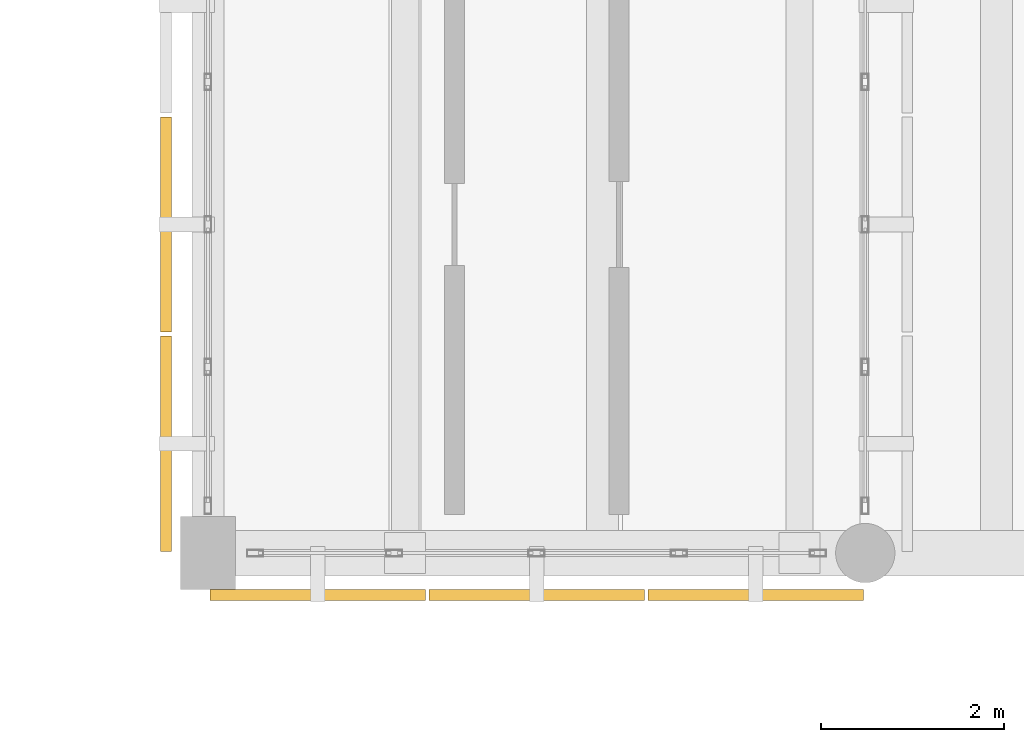
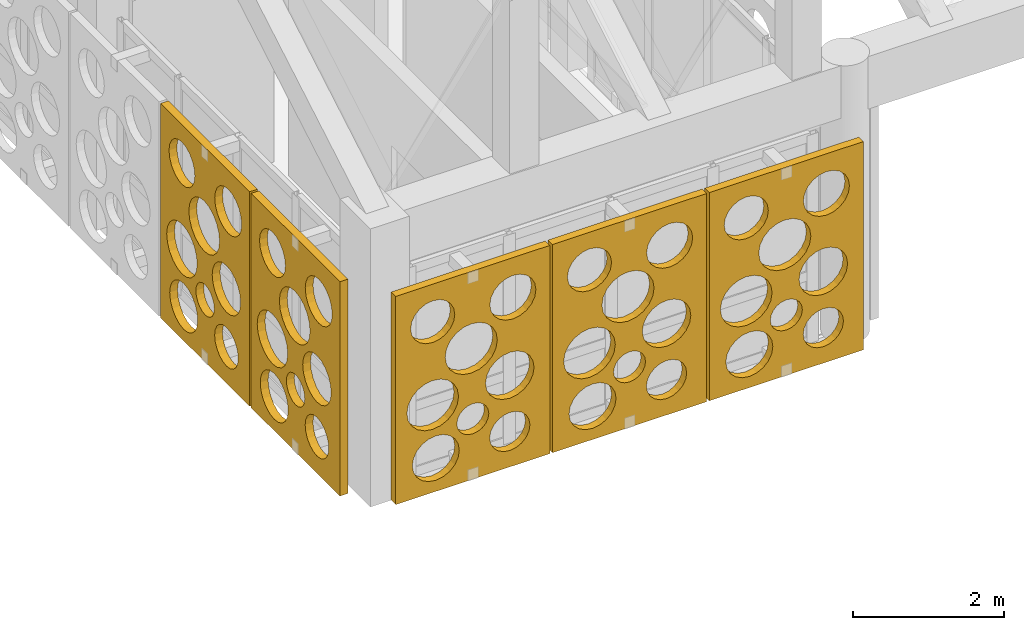
# One storey, part 153 of 171: 5 coverings.
"""IFC4 building model written with IfcOpenShell, lengths in metres."""

from ifc_helpers import new_model, si_unit, direction, frame, origin, place, context, subcontext, project, spatial, polyline, outline, extrude, material, layer, layer_set, type_object, element, save


model = new_model("IFC4")

# Units and contexts
model_context = context("Model", 3, precision=1e-05, world=origin(), true_north=direction((0.0, 1.0)))
body_context = subcontext(model_context, "Body", "Model", "MODEL_VIEW")
ifc_project = project(units=[si_unit("LENGTHUNIT", "METRE"), si_unit("AREAUNIT", "SQUARE_METRE"), si_unit("VOLUMEUNIT", "CUBIC_METRE"), si_unit("PLANEANGLEUNIT", "RADIAN"), si_unit("MASSUNIT", "GRAM", prefix="KILO")], contexts=[model_context])

# Site, building, storey
site_placement = place(None, origin())
site = spatial("IfcSite", under=ifc_project, at=site_placement, CompositionType="ELEMENT")
building_placement = place(site_placement, origin())
building = spatial("IfcBuilding", under=site, at=building_placement, Name="Aldebral Square Health Centre", CompositionType="ELEMENT")
storey_placement = place(building_placement, frame((0.0, 0.0, 4.5)))
storey = spatial("IfcBuildingStorey", under=building, at=storey_placement, Name="L01", CompositionType="ELEMENT", Elevation=4.5)

# Coverings
ifc_material = material(Name="Cream cantera perforated stone screen", Category="masonry")
ifc_layer = layer(ifc_material, 0.1201171875, Name="Cream cantera perforated stone screen", Category="masonry")
ifc_layer_set = layer_set([ifc_layer], Name="Cream cantera perforated stone screen")
covering_type = type_object("IfcCoveringType", Name="COV-SCR-120", PredefinedType="CLADDING", material=ifc_layer_set)
covering_1_placement = place(storey_placement, frame((64.820068359375, 71.5400390625, 0.0), z_axis=(0.0, 0.0, 1.0), x_axis=(1.0, 0.0, 0.0)))
element("IfcCovering", 1, at=covering_1_placement, inside=storey, type_object=covering_type, Name="L01 V1 circular-aperture stone screen L01-V1-09-10-S.1", PredefinedType="CLADDING", context=body_context, shape_type="SweptSolid", body=[
    extrude(outline(polyline([(0.0, 0.0), (2.35986328125, 0.0), (2.35986328125, 3.3701171875), (0.0, 3.3701171875), (0.0, 0.0)]), holes=[polyline([(0.973388671875, 0.539306640625), (0.955810546875, 0.427978515625), (0.90478515625, 0.32763671875), (0.8251953125, 0.248046875), (0.724853515625, 0.197021484375), (0.613525390625, 0.17919921875), (0.50244140625, 0.197021484375), (0.402099609375, 0.248046875), (0.322509765625, 0.32763671875), (0.271240234375, 0.427978515625), (0.253662109375, 0.539306640625), (0.271240234375, 0.650390625), (0.322509765625, 0.750732421875), (0.402099609375, 0.830322265625), (0.50244140625, 0.881591796875), (0.613525390625, 0.899169921875), (0.724853515625, 0.881591796875), (0.8251953125, 0.830322265625), (0.90478515625, 0.750732421875), (0.955810546875, 0.650390625), (0.973388671875, 0.539306640625)]), polyline([(2.0546875, 0.572998046875), (2.039794921875, 0.4775390625), (1.995849609375, 0.3916015625), (1.927734375, 0.323486328125), (1.841796875, 0.279541015625), (1.746337890625, 0.264404296875), (1.651123046875, 0.279541015625), (1.565185546875, 0.323486328125), (1.496826171875, 0.3916015625), (1.453125, 0.4775390625), (1.43798828125, 0.572998046875), (1.453125, 0.668212890625), (1.496826171875, 0.754150390625), (1.565185546875, 0.822509765625), (1.651123046875, 0.8662109375), (1.746337890625, 0.88134765625), (1.841796875, 0.8662109375), (1.927734375, 0.822509765625), (1.995849609375, 0.754150390625), (2.039794921875, 0.668212890625), (2.0546875, 0.572998046875)]), polyline([(0.9619140625, 1.415283203125), (0.942626953125, 1.293212890625), (0.886474609375, 1.182861328125), (0.798828125, 1.095458984375), (0.688720703125, 1.039306640625), (0.56640625, 1.02001953125), (0.444091796875, 1.039306640625), (0.333984375, 1.095458984375), (0.246337890625, 1.182861328125), (0.190185546875, 1.293212890625), (0.1708984375, 1.415283203125), (0.190185546875, 1.53759765625), (0.246337890625, 1.64794921875), (0.333984375, 1.7353515625), (0.444091796875, 1.79150390625), (0.56640625, 1.810791015625), (0.688720703125, 1.79150390625), (0.798828125, 1.7353515625), (0.886474609375, 1.64794921875), (0.942626953125, 1.53759765625), (0.9619140625, 1.415283203125)]), polyline([(2.117919921875, 1.48291015625), (2.099853515625, 1.367919921875), (2.047119140625, 1.264404296875), (1.96484375, 1.18212890625), (1.861328125, 1.12939453125), (1.746337890625, 1.111083984375), (1.631591796875, 1.12939453125), (1.528076171875, 1.18212890625), (1.44580078125, 1.264404296875), (1.39306640625, 1.367919921875), (1.374755859375, 1.48291015625), (1.39306640625, 1.59765625), (1.44580078125, 1.701171875), (1.528076171875, 1.783447265625), (1.631591796875, 1.836181640625), (1.746337890625, 1.8544921875), (1.861328125, 1.836181640625), (1.96484375, 1.783447265625), (2.047119140625, 1.701171875), (2.099853515625, 1.59765625), (2.117919921875, 1.48291015625)]), polyline([(1.4248046875, 0.977294921875), (1.412841796875, 0.901611328125), (1.3779296875, 0.83349609375), (1.32373046875, 0.779296875), (1.255615234375, 0.74462890625), (1.179931640625, 0.732666015625), (1.1044921875, 0.74462890625), (1.0361328125, 0.779296875), (0.98193359375, 0.83349609375), (0.947265625, 0.901611328125), (0.935302734375, 0.977294921875), (0.947265625, 1.052978515625), (0.98193359375, 1.12109375), (1.0361328125, 1.17529296875), (1.1044921875, 1.2099609375), (1.179931640625, 1.221923828125), (1.255615234375, 1.2099609375), (1.32373046875, 1.17529296875), (1.3779296875, 1.12109375), (1.412841796875, 1.052978515625), (1.4248046875, 0.977294921875)]), polyline([(1.555419921875, 2.123046875), (1.535888671875, 1.999755859375), (1.479248046875, 1.888427734375), (1.390869140625, 1.80029296875), (1.27978515625, 1.74365234375), (1.156494140625, 1.72412109375), (1.032958984375, 1.74365234375), (0.921875, 1.80029296875), (0.83349609375, 1.888427734375), (0.77685546875, 1.999755859375), (0.75732421875, 2.123046875), (0.77685546875, 2.246337890625), (0.83349609375, 2.357666015625), (0.921875, 2.446044921875), (1.032958984375, 2.502685546875), (1.156494140625, 2.522216796875), (1.27978515625, 2.502685546875), (1.390869140625, 2.446044921875), (1.479248046875, 2.357666015625), (1.535888671875, 2.246337890625), (1.555419921875, 2.123046875)]), polyline([(0.904296875, 2.763427734375), (0.8876953125, 2.658935546875), (0.839599609375, 2.56494140625), (0.764892578125, 2.490234375), (0.6708984375, 2.442138671875), (0.56640625, 2.425537109375), (0.4619140625, 2.442138671875), (0.367919921875, 2.490234375), (0.293212890625, 2.56494140625), (0.2451171875, 2.658935546875), (0.228515625, 2.763427734375), (0.2451171875, 2.86767578125), (0.293212890625, 2.9619140625), (0.367919921875, 3.03662109375), (0.4619140625, 3.084716796875), (0.56640625, 3.101318359375), (0.6708984375, 3.084716796875), (0.764892578125, 3.03662109375), (0.839599609375, 2.9619140625), (0.8876953125, 2.86767578125), (0.904296875, 2.763427734375)]), polyline([(2.14599609375, 2.729736328125), (2.12890625, 2.620849609375), (2.078857421875, 2.5224609375), (2.000732421875, 2.444580078125), (1.902587890625, 2.39453125), (1.793701171875, 2.377197265625), (1.6845703125, 2.39453125), (1.58642578125, 2.444580078125), (1.50830078125, 2.5224609375), (1.458251953125, 2.620849609375), (1.441162109375, 2.729736328125), (1.458251953125, 2.838623046875), (1.50830078125, 2.93701171875), (1.58642578125, 3.014892578125), (1.6845703125, 3.06494140625), (1.793701171875, 3.082275390625), (1.902587890625, 3.06494140625), (2.000732421875, 3.014892578125), (2.078857421875, 2.93701171875), (2.12890625, 2.838623046875), (2.14599609375, 2.729736328125)])]), frame((0.0, 0.06005859375, 0.0), z_axis=(0.0, -1.0, 0.0), x_axis=(1.0, 0.0, 0.0)), (0.0, 0.0, 1.0), 0.1201171875),
])
covering_2_placement = place(storey_placement, frame((67.219970703125, 71.5400390625, 0.0), z_axis=(0.0, 0.0, 1.0), x_axis=(1.0, 0.0, 0.0)))
element("IfcCovering", 2, at=covering_2_placement, inside=storey, type_object=covering_type, Name="L01 V1 circular-aperture stone screen L01-V1-09-10-S.2", PredefinedType="CLADDING", context=body_context, shape_type="SweptSolid", body=[
    extrude(outline(polyline([(0.0, 0.0), (2.360107421875, 0.0), (2.360107421875, 3.3701171875), (0.0, 3.3701171875), (0.0, 0.0)]), holes=[polyline([(0.973388671875, 0.539306640625), (0.955810546875, 0.427978515625), (0.90478515625, 0.32763671875), (0.8251953125, 0.248046875), (0.724853515625, 0.197021484375), (0.613525390625, 0.17919921875), (0.50244140625, 0.197021484375), (0.402099609375, 0.248046875), (0.322509765625, 0.32763671875), (0.271240234375, 0.427978515625), (0.253662109375, 0.539306640625), (0.271240234375, 0.650390625), (0.322509765625, 0.750732421875), (0.402099609375, 0.830322265625), (0.50244140625, 0.881591796875), (0.613525390625, 0.899169921875), (0.724853515625, 0.881591796875), (0.8251953125, 0.830322265625), (0.90478515625, 0.750732421875), (0.955810546875, 0.650390625), (0.973388671875, 0.539306640625)]), polyline([(2.0546875, 0.572998046875), (2.039794921875, 0.4775390625), (1.995849609375, 0.3916015625), (1.927734375, 0.323486328125), (1.841796875, 0.279541015625), (1.746337890625, 0.264404296875), (1.651123046875, 0.279541015625), (1.565185546875, 0.323486328125), (1.496826171875, 0.3916015625), (1.453125, 0.4775390625), (1.43798828125, 0.572998046875), (1.453125, 0.668212890625), (1.496826171875, 0.754150390625), (1.565185546875, 0.822509765625), (1.651123046875, 0.8662109375), (1.746337890625, 0.88134765625), (1.841796875, 0.8662109375), (1.927734375, 0.822509765625), (1.995849609375, 0.754150390625), (2.039794921875, 0.668212890625), (2.0546875, 0.572998046875)]), polyline([(0.9619140625, 1.415283203125), (0.942626953125, 1.293212890625), (0.886474609375, 1.182861328125), (0.798828125, 1.095458984375), (0.688720703125, 1.039306640625), (0.56640625, 1.02001953125), (0.444091796875, 1.039306640625), (0.333984375, 1.095458984375), (0.246337890625, 1.182861328125), (0.190185546875, 1.293212890625), (0.1708984375, 1.415283203125), (0.190185546875, 1.53759765625), (0.246337890625, 1.64794921875), (0.333984375, 1.7353515625), (0.444091796875, 1.79150390625), (0.56640625, 1.810791015625), (0.688720703125, 1.79150390625), (0.798828125, 1.7353515625), (0.886474609375, 1.64794921875), (0.942626953125, 1.53759765625), (0.9619140625, 1.415283203125)]), polyline([(2.117919921875, 1.48291015625), (2.099853515625, 1.367919921875), (2.047119140625, 1.264404296875), (1.96484375, 1.18212890625), (1.861328125, 1.12939453125), (1.746337890625, 1.111083984375), (1.631591796875, 1.12939453125), (1.528076171875, 1.18212890625), (1.44580078125, 1.264404296875), (1.39306640625, 1.367919921875), (1.374755859375, 1.48291015625), (1.39306640625, 1.59765625), (1.44580078125, 1.701171875), (1.528076171875, 1.783447265625), (1.631591796875, 1.836181640625), (1.746337890625, 1.8544921875), (1.861328125, 1.836181640625), (1.96484375, 1.783447265625), (2.047119140625, 1.701171875), (2.099853515625, 1.59765625), (2.117919921875, 1.48291015625)]), polyline([(1.4248046875, 0.977294921875), (1.412841796875, 0.901611328125), (1.3779296875, 0.83349609375), (1.32373046875, 0.779296875), (1.255615234375, 0.74462890625), (1.179931640625, 0.732666015625), (1.1044921875, 0.74462890625), (1.0361328125, 0.779296875), (0.98193359375, 0.83349609375), (0.947265625, 0.901611328125), (0.935302734375, 0.977294921875), (0.947265625, 1.052978515625), (0.98193359375, 1.12109375), (1.0361328125, 1.17529296875), (1.1044921875, 1.2099609375), (1.179931640625, 1.221923828125), (1.255615234375, 1.2099609375), (1.32373046875, 1.17529296875), (1.3779296875, 1.12109375), (1.412841796875, 1.052978515625), (1.4248046875, 0.977294921875)]), polyline([(1.555419921875, 2.123046875), (1.535888671875, 1.999755859375), (1.479248046875, 1.888427734375), (1.390869140625, 1.80029296875), (1.27978515625, 1.74365234375), (1.156494140625, 1.72412109375), (1.032958984375, 1.74365234375), (0.921875, 1.80029296875), (0.83349609375, 1.888427734375), (0.77685546875, 1.999755859375), (0.75732421875, 2.123046875), (0.77685546875, 2.246337890625), (0.83349609375, 2.357666015625), (0.921875, 2.446044921875), (1.032958984375, 2.502685546875), (1.156494140625, 2.522216796875), (1.27978515625, 2.502685546875), (1.390869140625, 2.446044921875), (1.479248046875, 2.357666015625), (1.535888671875, 2.246337890625), (1.555419921875, 2.123046875)]), polyline([(0.904296875, 2.763427734375), (0.8876953125, 2.658935546875), (0.839599609375, 2.56494140625), (0.764892578125, 2.490234375), (0.6708984375, 2.442138671875), (0.56640625, 2.425537109375), (0.4619140625, 2.442138671875), (0.367919921875, 2.490234375), (0.293212890625, 2.56494140625), (0.2451171875, 2.658935546875), (0.228515625, 2.763427734375), (0.2451171875, 2.86767578125), (0.293212890625, 2.9619140625), (0.367919921875, 3.03662109375), (0.4619140625, 3.084716796875), (0.56640625, 3.101318359375), (0.6708984375, 3.084716796875), (0.764892578125, 3.03662109375), (0.839599609375, 2.9619140625), (0.8876953125, 2.86767578125), (0.904296875, 2.763427734375)]), polyline([(2.14599609375, 2.729736328125), (2.12890625, 2.620849609375), (2.078857421875, 2.5224609375), (2.000732421875, 2.444580078125), (1.902587890625, 2.39453125), (1.793701171875, 2.377197265625), (1.6845703125, 2.39453125), (1.58642578125, 2.444580078125), (1.50830078125, 2.5224609375), (1.458251953125, 2.620849609375), (1.441162109375, 2.729736328125), (1.458251953125, 2.838623046875), (1.50830078125, 2.93701171875), (1.58642578125, 3.014892578125), (1.6845703125, 3.06494140625), (1.793701171875, 3.082275390625), (1.902587890625, 3.06494140625), (2.000732421875, 3.014892578125), (2.078857421875, 2.93701171875), (2.12890625, 2.838623046875), (2.14599609375, 2.729736328125)])]), frame((0.0, 0.06005859375, 0.0), z_axis=(0.0, -1.0, 0.0), x_axis=(1.0, 0.0, 0.0)), (0.0, 0.0, 1.0), 0.1201171875),
])
covering_3_placement = place(storey_placement, frame((69.6201171875, 71.5400390625, 0.0), z_axis=(0.0, 0.0, 1.0), x_axis=(1.0, 0.0, 0.0)))
element("IfcCovering", 3, at=covering_3_placement, inside=storey, type_object=covering_type, Name="L01 V1 circular-aperture stone screen L01-V1-09-10-S.3", PredefinedType="CLADDING", context=body_context, shape_type="SweptSolid", body=[
    extrude(outline(polyline([(0.0, 0.0), (2.35986328125, 0.0), (2.35986328125, 3.3701171875), (0.0, 3.3701171875), (0.0, 0.0)]), holes=[polyline([(0.973388671875, 0.539306640625), (0.955810546875, 0.427978515625), (0.90478515625, 0.32763671875), (0.8251953125, 0.248046875), (0.724853515625, 0.197021484375), (0.613525390625, 0.17919921875), (0.50244140625, 0.197021484375), (0.402099609375, 0.248046875), (0.322509765625, 0.32763671875), (0.271240234375, 0.427978515625), (0.253662109375, 0.539306640625), (0.271240234375, 0.650390625), (0.322509765625, 0.750732421875), (0.402099609375, 0.830322265625), (0.50244140625, 0.881591796875), (0.613525390625, 0.899169921875), (0.724853515625, 0.881591796875), (0.8251953125, 0.830322265625), (0.90478515625, 0.750732421875), (0.955810546875, 0.650390625), (0.973388671875, 0.539306640625)]), polyline([(2.0546875, 0.572998046875), (2.039794921875, 0.4775390625), (1.995849609375, 0.3916015625), (1.927734375, 0.323486328125), (1.841796875, 0.279541015625), (1.746337890625, 0.264404296875), (1.651123046875, 0.279541015625), (1.565185546875, 0.323486328125), (1.496826171875, 0.3916015625), (1.453125, 0.4775390625), (1.43798828125, 0.572998046875), (1.453125, 0.668212890625), (1.496826171875, 0.754150390625), (1.565185546875, 0.822509765625), (1.651123046875, 0.8662109375), (1.746337890625, 0.88134765625), (1.841796875, 0.8662109375), (1.927734375, 0.822509765625), (1.995849609375, 0.754150390625), (2.039794921875, 0.668212890625), (2.0546875, 0.572998046875)]), polyline([(0.9619140625, 1.415283203125), (0.942626953125, 1.293212890625), (0.886474609375, 1.182861328125), (0.798828125, 1.095458984375), (0.688720703125, 1.039306640625), (0.56640625, 1.02001953125), (0.444091796875, 1.039306640625), (0.333984375, 1.095458984375), (0.246337890625, 1.182861328125), (0.190185546875, 1.293212890625), (0.1708984375, 1.415283203125), (0.190185546875, 1.53759765625), (0.246337890625, 1.64794921875), (0.333984375, 1.7353515625), (0.444091796875, 1.79150390625), (0.56640625, 1.810791015625), (0.688720703125, 1.79150390625), (0.798828125, 1.7353515625), (0.886474609375, 1.64794921875), (0.942626953125, 1.53759765625), (0.9619140625, 1.415283203125)]), polyline([(2.117919921875, 1.48291015625), (2.099853515625, 1.367919921875), (2.047119140625, 1.264404296875), (1.96484375, 1.18212890625), (1.861328125, 1.12939453125), (1.746337890625, 1.111083984375), (1.631591796875, 1.12939453125), (1.528076171875, 1.18212890625), (1.44580078125, 1.264404296875), (1.39306640625, 1.367919921875), (1.374755859375, 1.48291015625), (1.39306640625, 1.59765625), (1.44580078125, 1.701171875), (1.528076171875, 1.783447265625), (1.631591796875, 1.836181640625), (1.746337890625, 1.8544921875), (1.861328125, 1.836181640625), (1.96484375, 1.783447265625), (2.047119140625, 1.701171875), (2.099853515625, 1.59765625), (2.117919921875, 1.48291015625)]), polyline([(1.4248046875, 0.977294921875), (1.412841796875, 0.901611328125), (1.3779296875, 0.83349609375), (1.32373046875, 0.779296875), (1.255615234375, 0.74462890625), (1.179931640625, 0.732666015625), (1.1044921875, 0.74462890625), (1.0361328125, 0.779296875), (0.98193359375, 0.83349609375), (0.947265625, 0.901611328125), (0.935302734375, 0.977294921875), (0.947265625, 1.052978515625), (0.98193359375, 1.12109375), (1.0361328125, 1.17529296875), (1.1044921875, 1.2099609375), (1.179931640625, 1.221923828125), (1.255615234375, 1.2099609375), (1.32373046875, 1.17529296875), (1.3779296875, 1.12109375), (1.412841796875, 1.052978515625), (1.4248046875, 0.977294921875)]), polyline([(1.555419921875, 2.123046875), (1.535888671875, 1.999755859375), (1.479248046875, 1.888427734375), (1.390869140625, 1.80029296875), (1.27978515625, 1.74365234375), (1.156494140625, 1.72412109375), (1.032958984375, 1.74365234375), (0.921875, 1.80029296875), (0.83349609375, 1.888427734375), (0.77685546875, 1.999755859375), (0.75732421875, 2.123046875), (0.77685546875, 2.246337890625), (0.83349609375, 2.357666015625), (0.921875, 2.446044921875), (1.032958984375, 2.502685546875), (1.156494140625, 2.522216796875), (1.27978515625, 2.502685546875), (1.390869140625, 2.446044921875), (1.479248046875, 2.357666015625), (1.535888671875, 2.246337890625), (1.555419921875, 2.123046875)]), polyline([(0.904296875, 2.763427734375), (0.8876953125, 2.658935546875), (0.839599609375, 2.56494140625), (0.764892578125, 2.490234375), (0.6708984375, 2.442138671875), (0.56640625, 2.425537109375), (0.4619140625, 2.442138671875), (0.367919921875, 2.490234375), (0.293212890625, 2.56494140625), (0.2451171875, 2.658935546875), (0.228515625, 2.763427734375), (0.2451171875, 2.86767578125), (0.293212890625, 2.9619140625), (0.367919921875, 3.03662109375), (0.4619140625, 3.084716796875), (0.56640625, 3.101318359375), (0.6708984375, 3.084716796875), (0.764892578125, 3.03662109375), (0.839599609375, 2.9619140625), (0.8876953125, 2.86767578125), (0.904296875, 2.763427734375)]), polyline([(2.14599609375, 2.729736328125), (2.12890625, 2.620849609375), (2.078857421875, 2.5224609375), (2.000732421875, 2.444580078125), (1.902587890625, 2.39453125), (1.793701171875, 2.377197265625), (1.6845703125, 2.39453125), (1.58642578125, 2.444580078125), (1.50830078125, 2.5224609375), (1.458251953125, 2.620849609375), (1.441162109375, 2.729736328125), (1.458251953125, 2.838623046875), (1.50830078125, 2.93701171875), (1.58642578125, 3.014892578125), (1.6845703125, 3.06494140625), (1.793701171875, 3.082275390625), (1.902587890625, 3.06494140625), (2.000732421875, 3.014892578125), (2.078857421875, 2.93701171875), (2.12890625, 2.838623046875), (2.14599609375, 2.729736328125)])]), frame((0.0, 0.06005859375, 0.0), z_axis=(0.0, -1.0, 0.0), x_axis=(1.0, 0.0, 0.0)), (0.0, 0.0, 1.0), 0.1201171875),
])
covering_4_placement = place(storey_placement, frame((64.340087890625, 76.780029296875, 0.0), z_axis=(0.0, 0.0, 1.0), x_axis=(0.0, -1.0, 0.0)))
element("IfcCovering", 4, at=covering_4_placement, inside=storey, type_object=covering_type, Name="L01 V1 circular-aperture stone screen L01-V1-09-10-W.2", PredefinedType="CLADDING", context=body_context, shape_type="SweptSolid", body=[
    extrude(outline(polyline([(0.0, 0.0), (2.360107421875, 0.0), (2.360107421875, 3.469970703125), (0.0, 3.469970703125), (0.0, 0.0)]), holes=[polyline([(0.98486328125, 0.55517578125), (0.966552734375, 0.4404296875), (0.913818359375, 0.3369140625), (0.831787109375, 0.2548828125), (0.728271484375, 0.2021484375), (0.613525390625, 0.18408203125), (0.498779296875, 0.2021484375), (0.3955078125, 0.2548828125), (0.313232421875, 0.3369140625), (0.260498046875, 0.4404296875), (0.242431640625, 0.55517578125), (0.260498046875, 0.669921875), (0.313232421875, 0.7734375), (0.3955078125, 0.85546875), (0.498779296875, 0.908203125), (0.613525390625, 0.926513671875), (0.728271484375, 0.908203125), (0.831787109375, 0.85546875), (0.913818359375, 0.7734375), (0.966552734375, 0.669921875), (0.98486328125, 0.55517578125)]), polyline([(2.059326171875, 0.58984375), (2.0439453125, 0.4931640625), (1.99951171875, 0.406005859375), (1.930419921875, 0.336669921875), (1.843017578125, 0.292236328125), (1.746337890625, 0.277099609375), (1.649658203125, 0.292236328125), (1.5625, 0.336669921875), (1.4931640625, 0.406005859375), (1.44873046875, 0.4931640625), (1.43359375, 0.58984375), (1.44873046875, 0.6865234375), (1.4931640625, 0.77392578125), (1.5625, 0.843017578125), (1.649658203125, 0.887451171875), (1.746337890625, 0.90283203125), (1.843017578125, 0.887451171875), (1.930419921875, 0.843017578125), (1.99951171875, 0.77392578125), (2.0439453125, 0.6865234375), (2.059326171875, 0.58984375)]), polyline([(0.970703125, 1.45751953125), (0.950927734375, 1.33251953125), (0.8935546875, 1.2197265625), (0.803955078125, 1.13037109375), (0.69140625, 1.072998046875), (0.56640625, 1.052978515625), (0.44140625, 1.072998046875), (0.328857421875, 1.13037109375), (0.2392578125, 1.2197265625), (0.181884765625, 1.33251953125), (0.162109375, 1.45751953125), (0.181884765625, 1.582275390625), (0.2392578125, 1.695068359375), (0.328857421875, 1.784423828125), (0.44140625, 1.841796875), (0.56640625, 1.86181640625), (0.69140625, 1.841796875), (0.803955078125, 1.784423828125), (0.8935546875, 1.695068359375), (0.950927734375, 1.582275390625), (0.970703125, 1.45751953125)]), polyline([(2.124267578125, 1.52685546875), (2.105712890625, 1.41015625), (2.052001953125, 1.3046875), (1.968505859375, 1.22119140625), (1.863037109375, 1.16748046875), (1.746337890625, 1.14892578125), (1.629638671875, 1.16748046875), (1.5244140625, 1.22119140625), (1.440673828125, 1.3046875), (1.38720703125, 1.41015625), (1.36865234375, 1.52685546875), (1.38720703125, 1.6435546875), (1.440673828125, 1.748779296875), (1.5244140625, 1.83251953125), (1.629638671875, 1.88623046875), (1.746337890625, 1.904541015625), (1.863037109375, 1.88623046875), (1.968505859375, 1.83251953125), (2.052001953125, 1.748779296875), (2.105712890625, 1.6435546875), (2.124267578125, 1.52685546875)]), polyline([(1.42431640625, 1.00634765625), (1.412353515625, 0.9306640625), (1.377685546875, 0.862548828125), (1.32373046875, 0.80859375), (1.255615234375, 0.77392578125), (1.179931640625, 0.761962890625), (1.1044921875, 0.77392578125), (1.036376953125, 0.80859375), (0.982177734375, 0.862548828125), (0.947509765625, 0.9306640625), (0.935546875, 1.00634765625), (0.947509765625, 1.081787109375), (0.982177734375, 1.14990234375), (1.036376953125, 1.2041015625), (1.1044921875, 1.23876953125), (1.179931640625, 1.250732421875), (1.255615234375, 1.23876953125), (1.32373046875, 1.2041015625), (1.377685546875, 1.14990234375), (1.412353515625, 1.081787109375), (1.42431640625, 1.00634765625)]), polyline([(1.563232421875, 2.18603515625), (1.54345703125, 2.060302734375), (1.485595703125, 1.947021484375), (1.3955078125, 1.85693359375), (1.2822265625, 1.799072265625), (1.156494140625, 1.779296875), (1.03076171875, 1.799072265625), (0.917236328125, 1.85693359375), (0.8271484375, 1.947021484375), (0.76953125, 2.060302734375), (0.74951171875, 2.18603515625), (0.76953125, 2.311767578125), (0.8271484375, 2.42529296875), (0.917236328125, 2.515380859375), (1.03076171875, 2.572998046875), (1.156494140625, 2.593017578125), (1.2822265625, 2.572998046875), (1.3955078125, 2.515380859375), (1.485595703125, 2.42529296875), (1.54345703125, 2.311767578125), (1.563232421875, 2.18603515625)]), polyline([(0.9091796875, 2.845458984375), (0.892333984375, 2.739501953125), (0.84375, 2.64404296875), (0.767822265625, 2.568115234375), (0.67236328125, 2.51953125), (0.56640625, 2.502685546875), (0.46044921875, 2.51953125), (0.364990234375, 2.568115234375), (0.2890625, 2.64404296875), (0.240478515625, 2.739501953125), (0.2236328125, 2.845458984375), (0.240478515625, 2.951416015625), (0.2890625, 3.046875), (0.364990234375, 3.12255859375), (0.46044921875, 3.17138671875), (0.56640625, 3.18798828125), (0.67236328125, 3.17138671875), (0.767822265625, 3.12255859375), (0.84375, 3.046875), (0.892333984375, 2.951416015625), (0.9091796875, 2.845458984375)]), polyline([(2.1513671875, 2.810791015625), (2.1337890625, 2.7001953125), (2.0830078125, 2.600341796875), (2.00390625, 2.521240234375), (1.904052734375, 2.470458984375), (1.793701171875, 2.452880859375), (1.68310546875, 2.470458984375), (1.583251953125, 2.521240234375), (1.504150390625, 2.600341796875), (1.453369140625, 2.7001953125), (1.435791015625, 2.810791015625), (1.453369140625, 2.921142578125), (1.504150390625, 3.02099609375), (1.583251953125, 3.10009765625), (1.68310546875, 3.15087890625), (1.793701171875, 3.16845703125), (1.904052734375, 3.15087890625), (2.00390625, 3.10009765625), (2.0830078125, 3.02099609375), (2.1337890625, 2.921142578125), (2.1513671875, 2.810791015625)])]), frame((0.0, 0.06005859375, 0.0), z_axis=(0.0, -1.0, 0.0), x_axis=(1.0, 0.0, 0.0)), (0.0, 0.0, 1.0), 0.1201171875),
])
covering_5_placement = place(storey_placement, frame((64.340087890625, 74.3798828125, 0.0), z_axis=(0.0, 0.0, 1.0), x_axis=(0.0, -1.0, 0.0)))
element("IfcCovering", 5, at=covering_5_placement, inside=storey, type_object=covering_type, Name="L01 V1 circular-aperture stone screen L01-V1-09-10-W.3", PredefinedType="CLADDING", context=body_context, shape_type="SweptSolid", body=[
    extrude(outline(polyline([(0.0, 0.0), (2.35986328125, 0.0), (2.35986328125, 3.469970703125), (0.0, 3.469970703125), (0.0, 0.0)]), holes=[polyline([(0.98486328125, 0.55517578125), (0.966552734375, 0.4404296875), (0.913818359375, 0.3369140625), (0.831787109375, 0.2548828125), (0.728271484375, 0.2021484375), (0.613525390625, 0.18408203125), (0.498779296875, 0.2021484375), (0.3955078125, 0.2548828125), (0.313232421875, 0.3369140625), (0.260498046875, 0.4404296875), (0.242431640625, 0.55517578125), (0.260498046875, 0.669921875), (0.313232421875, 0.7734375), (0.3955078125, 0.85546875), (0.498779296875, 0.908203125), (0.613525390625, 0.926513671875), (0.728271484375, 0.908203125), (0.831787109375, 0.85546875), (0.913818359375, 0.7734375), (0.966552734375, 0.669921875), (0.98486328125, 0.55517578125)]), polyline([(2.059326171875, 0.58984375), (2.0439453125, 0.4931640625), (1.99951171875, 0.406005859375), (1.930419921875, 0.336669921875), (1.843017578125, 0.292236328125), (1.746337890625, 0.277099609375), (1.649658203125, 0.292236328125), (1.5625, 0.336669921875), (1.4931640625, 0.406005859375), (1.44873046875, 0.4931640625), (1.43359375, 0.58984375), (1.44873046875, 0.6865234375), (1.4931640625, 0.77392578125), (1.5625, 0.843017578125), (1.649658203125, 0.887451171875), (1.746337890625, 0.90283203125), (1.843017578125, 0.887451171875), (1.930419921875, 0.843017578125), (1.99951171875, 0.77392578125), (2.0439453125, 0.6865234375), (2.059326171875, 0.58984375)]), polyline([(0.970703125, 1.45751953125), (0.950927734375, 1.33251953125), (0.8935546875, 1.2197265625), (0.803955078125, 1.13037109375), (0.69140625, 1.072998046875), (0.56640625, 1.052978515625), (0.44140625, 1.072998046875), (0.328857421875, 1.13037109375), (0.2392578125, 1.2197265625), (0.181884765625, 1.33251953125), (0.162109375, 1.45751953125), (0.181884765625, 1.582275390625), (0.2392578125, 1.695068359375), (0.328857421875, 1.784423828125), (0.44140625, 1.841796875), (0.56640625, 1.86181640625), (0.69140625, 1.841796875), (0.803955078125, 1.784423828125), (0.8935546875, 1.695068359375), (0.950927734375, 1.582275390625), (0.970703125, 1.45751953125)]), polyline([(2.124267578125, 1.52685546875), (2.105712890625, 1.41015625), (2.052001953125, 1.3046875), (1.968505859375, 1.22119140625), (1.863037109375, 1.16748046875), (1.746337890625, 1.14892578125), (1.629638671875, 1.16748046875), (1.5244140625, 1.22119140625), (1.440673828125, 1.3046875), (1.38720703125, 1.41015625), (1.36865234375, 1.52685546875), (1.38720703125, 1.6435546875), (1.440673828125, 1.748779296875), (1.5244140625, 1.83251953125), (1.629638671875, 1.88623046875), (1.746337890625, 1.904541015625), (1.863037109375, 1.88623046875), (1.968505859375, 1.83251953125), (2.052001953125, 1.748779296875), (2.105712890625, 1.6435546875), (2.124267578125, 1.52685546875)]), polyline([(1.42431640625, 1.00634765625), (1.412353515625, 0.9306640625), (1.377685546875, 0.862548828125), (1.32373046875, 0.80859375), (1.255615234375, 0.77392578125), (1.179931640625, 0.761962890625), (1.1044921875, 0.77392578125), (1.036376953125, 0.80859375), (0.982177734375, 0.862548828125), (0.947509765625, 0.9306640625), (0.935546875, 1.00634765625), (0.947509765625, 1.081787109375), (0.982177734375, 1.14990234375), (1.036376953125, 1.2041015625), (1.1044921875, 1.23876953125), (1.179931640625, 1.250732421875), (1.255615234375, 1.23876953125), (1.32373046875, 1.2041015625), (1.377685546875, 1.14990234375), (1.412353515625, 1.081787109375), (1.42431640625, 1.00634765625)]), polyline([(1.563232421875, 2.18603515625), (1.54345703125, 2.060302734375), (1.485595703125, 1.947021484375), (1.3955078125, 1.85693359375), (1.2822265625, 1.799072265625), (1.156494140625, 1.779296875), (1.03076171875, 1.799072265625), (0.917236328125, 1.85693359375), (0.8271484375, 1.947021484375), (0.76953125, 2.060302734375), (0.74951171875, 2.18603515625), (0.76953125, 2.311767578125), (0.8271484375, 2.42529296875), (0.917236328125, 2.515380859375), (1.03076171875, 2.572998046875), (1.156494140625, 2.593017578125), (1.2822265625, 2.572998046875), (1.3955078125, 2.515380859375), (1.485595703125, 2.42529296875), (1.54345703125, 2.311767578125), (1.563232421875, 2.18603515625)]), polyline([(0.9091796875, 2.845458984375), (0.892333984375, 2.739501953125), (0.84375, 2.64404296875), (0.767822265625, 2.568115234375), (0.67236328125, 2.51953125), (0.56640625, 2.502685546875), (0.46044921875, 2.51953125), (0.364990234375, 2.568115234375), (0.2890625, 2.64404296875), (0.240478515625, 2.739501953125), (0.2236328125, 2.845458984375), (0.240478515625, 2.951416015625), (0.2890625, 3.046875), (0.364990234375, 3.12255859375), (0.46044921875, 3.17138671875), (0.56640625, 3.18798828125), (0.67236328125, 3.17138671875), (0.767822265625, 3.12255859375), (0.84375, 3.046875), (0.892333984375, 2.951416015625), (0.9091796875, 2.845458984375)]), polyline([(2.1513671875, 2.810791015625), (2.1337890625, 2.7001953125), (2.0830078125, 2.600341796875), (2.00390625, 2.521240234375), (1.904052734375, 2.470458984375), (1.793701171875, 2.452880859375), (1.68310546875, 2.470458984375), (1.583251953125, 2.521240234375), (1.504150390625, 2.600341796875), (1.453369140625, 2.7001953125), (1.435791015625, 2.810791015625), (1.453369140625, 2.921142578125), (1.504150390625, 3.02099609375), (1.583251953125, 3.10009765625), (1.68310546875, 3.15087890625), (1.793701171875, 3.16845703125), (1.904052734375, 3.15087890625), (2.00390625, 3.10009765625), (2.0830078125, 3.02099609375), (2.1337890625, 2.921142578125), (2.1513671875, 2.810791015625)])]), frame((0.0, 0.06005859375, 0.0), z_axis=(0.0, -1.0, 0.0), x_axis=(1.0, 0.0, 0.0)), (0.0, 0.0, 1.0), 0.1201171875),
])

save(model, "model.ifc")
